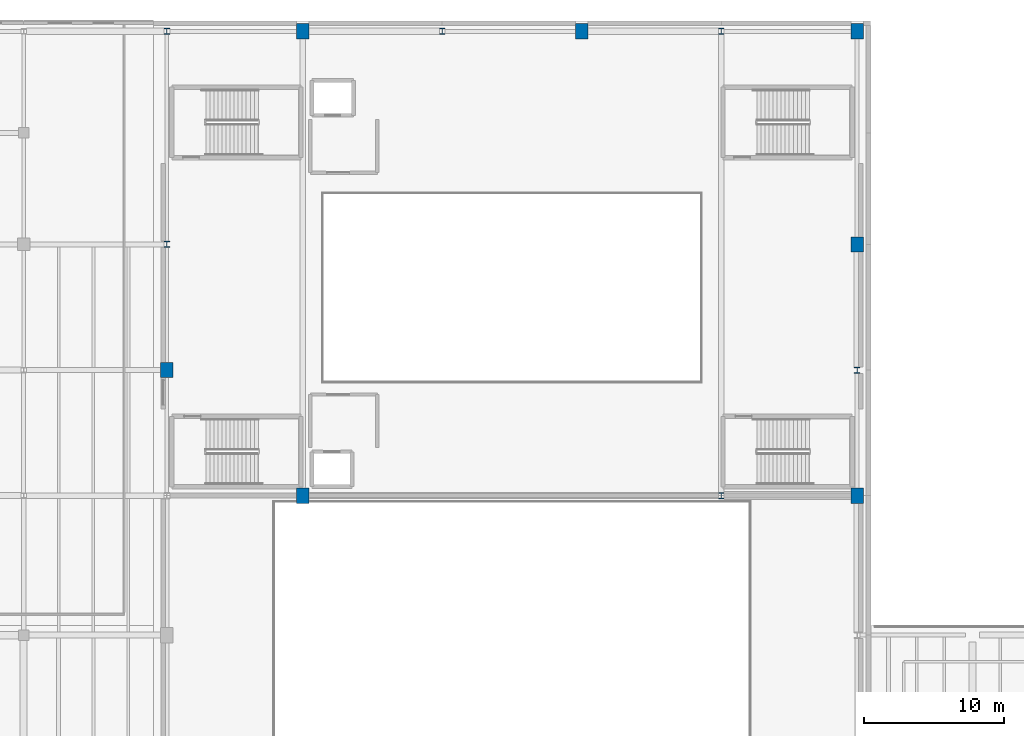
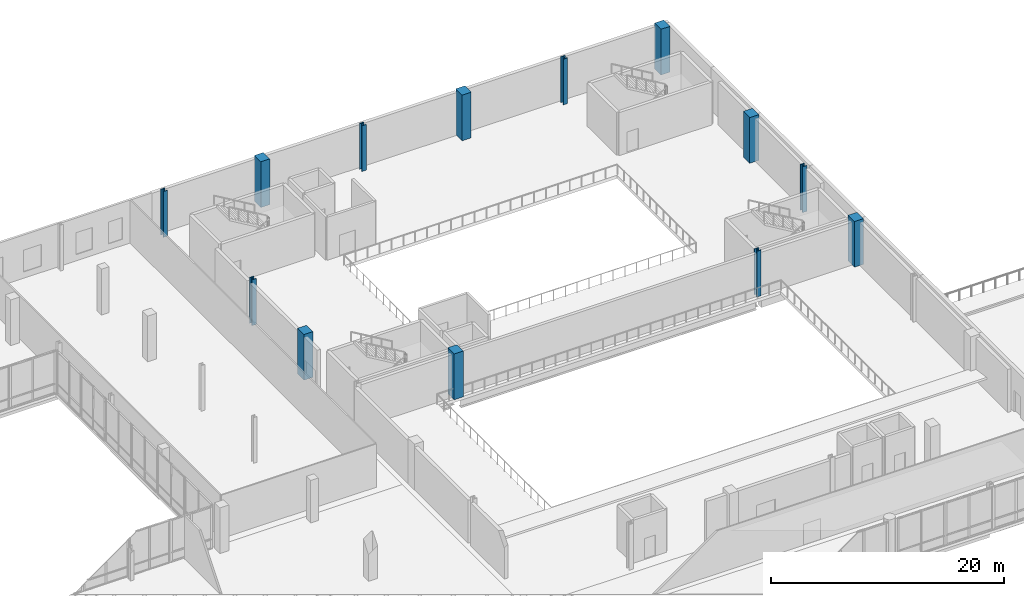
# One storey, part 6 of 41: 13 columns.
"""IFC4 building model written with IfcOpenShell, lengths in metres."""

from ifc_helpers import new_model, si_unit, direction, frame, origin, origin_2d, place, context, subcontext, project, spatial, rectangle, i_section, extrude, material, material_profile, profile_set, type_object, element, save


model = new_model("IFC4")

# Units and contexts
model_context = context("Model", 3, precision=1e-05, world=origin(), true_north=direction((0.0, 1.0)))
body_context = subcontext(model_context, "Body", "Model", "MODEL_VIEW")
ifc_project = project(units=[si_unit("LENGTHUNIT", "METRE"), si_unit("AREAUNIT", "SQUARE_METRE"), si_unit("VOLUMEUNIT", "CUBIC_METRE"), si_unit("PLANEANGLEUNIT", "RADIAN"), si_unit("MASSUNIT", "GRAM", prefix="KILO")], contexts=[model_context])

# Site, building, storey
site_placement = place(None, origin())
site = spatial("IfcSite", under=ifc_project, at=site_placement, CompositionType="ELEMENT")
building_placement = place(site_placement, origin())
building = spatial("IfcBuilding", under=site, at=building_placement, Name="Trimount Lyric Opera House", CompositionType="ELEMENT")
storey_placement = place(building_placement, frame((0.0, 0.0, 20.0)))
storey = spatial("IfcBuildingStorey", under=building, at=storey_placement, Name="L04", CompositionType="ELEMENT", Elevation=20.0)

# Columns
ifc_material_1 = material(Name="Steel ASTM A992 Grade 50", Category="steel")
ifc_material_profile_1 = material_profile(ifc_material_1, i_section(OverallWidth=0.422119140625, OverallDepth=0.465087890625, WebThickness=0.044921875, FlangeThickness=0.072509765625, FilletRadius=0.02001953125, at=origin_2d()), Name="W14X398")
ifc_profile_set_1 = profile_set([ifc_material_profile_1], Name="Steel ASTM A992 Grade 50")
column_type_1 = type_object("IfcColumnType", Name="C-01", PredefinedType="COLUMN", material=ifc_profile_set_1)
for number, where, z_axis, x_axis, name in (
    (1, (64.260009765625, 102.0, 0.0), (0.0, 0.0, 1.0), (1.0, 0.0, 0.0), "L04 column 8/M"),
    (2, (64.260009765625, 117.280029296875, 0.0), (0.0, 0.0, 1.0), (1.0, 0.0, 0.0), "L04 column 8/P"),
    (3, (84.0, 117.280029296875, 0.0), (0.0, 0.0, 1.0), (1.0, 0.0, 0.0), "L04 column 10/P"),
    (4, (104.0, 84.0, 0.0), (0.0, 0.0, 1.0), (1.0, 0.0, 0.0), "L04 column 12/K"),
    (5, (104.0, 117.280029296875, 0.0), (0.0, 0.0, 1.0), (1.0, 0.0, 0.0), "L04 column 12/P"),
    (6, (113.739990234375, 93.0, 0.0), (0.0, 0.0, 1.0), (1.0, 0.0, 0.0), "L04 column 13/L"),
):
    element("IfcColumn", number, at=place(storey_placement, frame(where, z_axis=z_axis, x_axis=x_axis)), inside=storey, type_object=column_type_1, Name=name, PredefinedType="COLUMN", context=body_context, shape_type="SweptSolid", body=[
        extrude(i_section(OverallWidth=0.422119140625, OverallDepth=0.465087890625, WebThickness=0.044921875, FlangeThickness=0.072509765625, FilletRadius=0.02001953125, at=origin_2d()), origin(), (0.0, 0.0, 1.0), 4.800048828125),
    ])
ifc_material_2 = material(Name="Concrete C50/60", Category="concrete")
ifc_material_profile_2 = material_profile(ifc_material_2, rectangle(XDim=0.89990234375, YDim=1.10009765625, at=origin_2d()), Name="RC1100X900")
ifc_profile_set_2 = profile_set([ifc_material_profile_2], Name="Concrete C50/60")
column_type_2 = type_object("IfcColumnType", Name="C-11", PredefinedType="COLUMN", material=ifc_profile_set_2)
for number, where, z_axis, x_axis, name in (
    (7, (64.260009765625, 93.0, 0.0), (0.0, 0.0, 1.0), (1.0, 0.0, 0.0), "L04 column 8/L"),
    (8, (74.0, 84.0, 0.0), (0.0, 0.0, 1.0), (1.0, 0.0, 0.0), "L04 column 9/K"),
    (9, (74.0, 117.280029296875, 0.0), (0.0, 0.0, 1.0), (1.0, 0.0, 0.0), "L04 column 9/P"),
    (10, (94.0, 117.280029296875, 0.0), (0.0, 0.0, 1.0), (1.0, 0.0, 0.0), "L04 column 11/P"),
    (11, (113.739990234375, 84.0, 0.0), (0.0, 0.0, 1.0), (1.0, 0.0, 0.0), "L04 column 13/K"),
    (12, (113.739990234375, 102.0, 0.0), (0.0, 0.0, 1.0), (1.0, 0.0, 0.0), "L04 column 13/M"),
    (13, (113.739990234375, 117.280029296875, 0.0), (0.0, 0.0, 1.0), (1.0, 0.0, 0.0), "L04 column 13/P"),
):
    element("IfcColumn", number, at=place(storey_placement, frame(where, z_axis=z_axis, x_axis=x_axis)), inside=storey, type_object=column_type_2, Name=name, PredefinedType="COLUMN", context=body_context, shape_type="SweptSolid", body=[
        extrude(rectangle(XDim=0.89990234375, YDim=1.10009765625, at=origin_2d()), origin(), (0.0, 0.0, 1.0), 4.800048828125),
    ])

save(model, "model.ifc")
